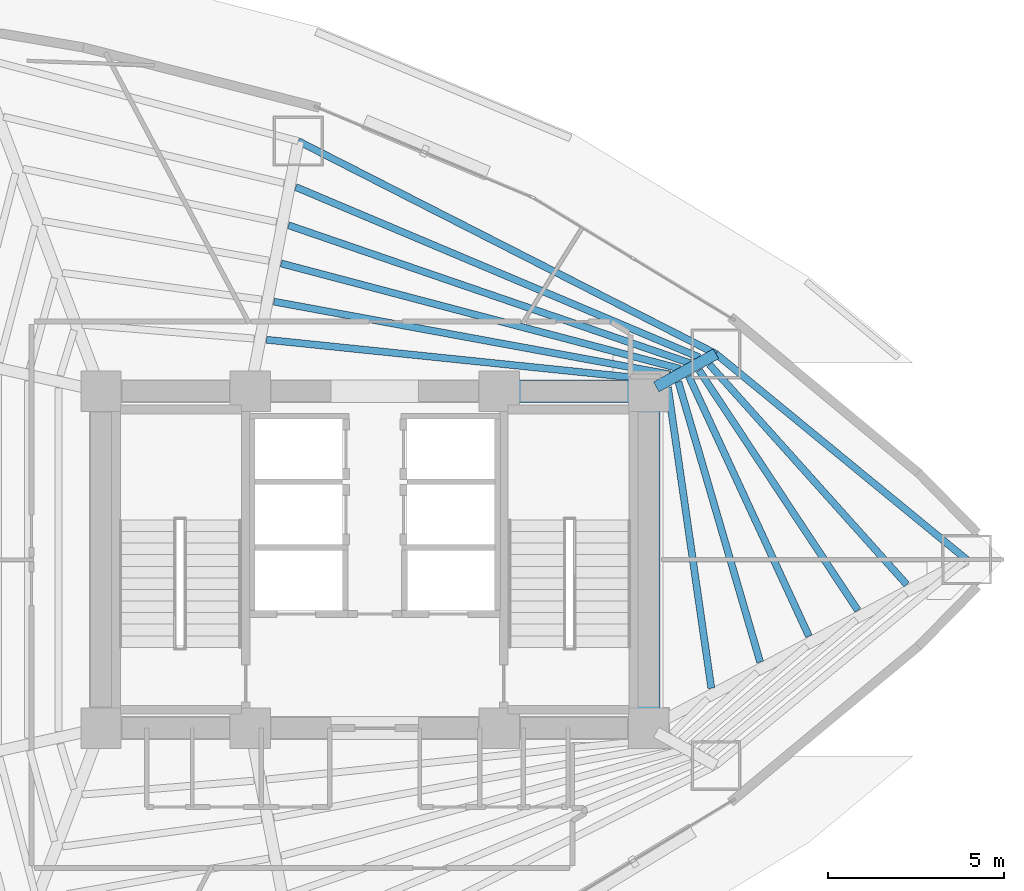
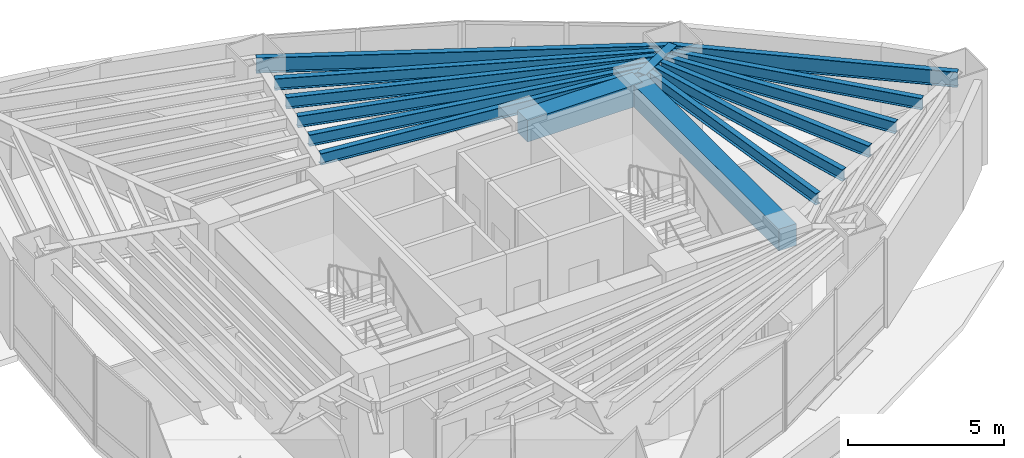
# One storey, part 10 of 17: 15 beams.
"""IFC4 building model written with IfcOpenShell, lengths in metres."""

import ifcopenshell
import ifcopenshell.guid

model = None  # the IFC model being written
_history = None  # IfcOwnerHistory: only IFC2X3 demands one
_inside = {}  # id of a spatial element -> (the spatial element, [elements in it])
_under = {}  # id of a project, library or spatial element -> (it, [spatial elements below it])
_declared = {}  # id of a project -> (the project, [libraries it declares])
_typed = {}  # id of a type object -> (the type object, [elements of that type])
_made_of = {}  # id of a material, layer set ... -> (it, [elements and type objects made of it])


def new_model(schema):
    """Start an empty IFC model of exactly this schema.

    Asked for "IFC4X3", IfcOpenShell would pick the latest addendum, in which some entities
    have other attributes; the version numbers below select the first issue.
    IFC2X3 requires an IfcOwnerHistory on every rooted entity: one is made here for all.
    """
    global model, _history
    if schema == "IFC4X3":
        model = ifcopenshell.file(schema_version=(4, 3, 0, 0))
    else:
        model = ifcopenshell.file(schema=schema)
    _inside.clear()
    _under.clear()
    _declared.clear()
    _typed.clear()
    _made_of.clear()
    _history = None
    if model.schema == "IFC2X3":
        org = make("IfcOrganization", Name="unknown")
        user = make(
            "IfcPersonAndOrganization",
            ThePerson=make("IfcPerson", FamilyName="unknown"),
            TheOrganization=org,
        )
        app = make(
            "IfcApplication",
            ApplicationDeveloper=org,
            Version="unknown",
            ApplicationFullName="unknown",
            ApplicationIdentifier="unknown",
        )
        _history = make(
            "IfcOwnerHistory",
            OwningUser=user,
            OwningApplication=app,
            ChangeAction="ADDED",
            CreationDate=0,
        )
    return model


def make(cls, **values):
    """One entity of the class cls with the attributes given. An attribute that is None is left unset."""
    return model.create_entity(
        cls, **{name: value for name, value in values.items() if value is not None}
    )


def rooted(cls, **values):
    """An entity with a GlobalId (a new one), such as an element, a storey or a relation."""
    return make(cls, GlobalId=ifcopenshell.guid.new(), OwnerHistory=_history, **values)


def si_unit(unit_type, name, prefix=None):
    """IfcSIUnit, for example si_unit("LENGTHUNIT", "METRE", prefix="MILLI")."""
    return make("IfcSIUnit", UnitType=unit_type, Prefix=prefix, Name=name)


def assignment(units):
    """IfcUnitAssignment: the units of a project."""
    return None if units is None else make("IfcUnitAssignment", Units=units)


def point(xyz):
    """IfcCartesianPoint."""
    return None if xyz is None else make("IfcCartesianPoint", Coordinates=xyz)


def direction(xyz):
    """IfcDirection."""
    return None if xyz is None else make("IfcDirection", DirectionRatios=xyz)


def frame(location, z_axis=None, x_axis=None):
    """IfcAxis2Placement3D, a coordinate frame: its origin and axes. An axis left out is left unset."""
    return make(
        "IfcAxis2Placement3D",
        Location=point(location),
        Axis=direction(z_axis),
        RefDirection=direction(x_axis),
    )


def frame_2d(location, x_axis=None):
    """IfcAxis2Placement2D, a coordinate frame in the plane: its origin and x axis."""
    return make(
        "IfcAxis2Placement2D", Location=point(location), RefDirection=direction(x_axis)
    )


def origin():
    """The frame at (0, 0, 0) with its axes left unset."""
    return frame((0.0, 0.0, 0.0))


def origin_2d():
    """The frame at (0, 0) in the plane with its x axis left unset."""
    return frame_2d((0.0, 0.0))


def place(relative_to, where):
    """IfcLocalPlacement: puts the frame where relative to a parent placement (None: the world)."""
    return make(
        "IfcLocalPlacement", PlacementRelTo=relative_to, RelativePlacement=where
    )


def context(
    kind, dimensions, precision=None, world=None, true_north=None, identifier=None
):
    """IfcGeometricRepresentationContext, for example the 3D "Model" context."""
    return make(
        "IfcGeometricRepresentationContext",
        ContextIdentifier=identifier,
        ContextType=kind,
        CoordinateSpaceDimension=dimensions,
        Precision=precision,
        WorldCoordinateSystem=world,
        TrueNorth=true_north,
    )


def subcontext(parent, identifier, kind, view, scale=None):
    """IfcGeometricRepresentationSubContext, for example "Body" below "Model"."""
    return make(
        "IfcGeometricRepresentationSubContext",
        ContextIdentifier=identifier,
        ContextType=kind,
        ParentContext=parent,
        TargetScale=scale,
        TargetView=view,
    )


def project(units=None, contexts=None):
    """IfcProject with its units and contexts."""
    return rooted(
        "IfcProject",
        Name="project",
        RepresentationContexts=contexts,
        UnitsInContext=assignment(units),
    )


def spatial(cls, under=None, at=None, **own):
    """A site, building, storey or space (cls), placed at a placement, below another one or the project."""
    s = rooted(cls, ObjectPlacement=at, **own)
    if under is not None:
        _under.setdefault(under.id(), (under, []))[1].append(s)
    return s


def profile(cls, at=None, kind="AREA", **sizes):
    """A parametric profile (cls). Its sizes go by their IFC names, for example OverallWidth=200.0."""
    return make(cls, ProfileType=kind, Position=at, **sizes)


def rectangle(**sizes):
    """IfcRectangleProfileDef."""
    return profile("IfcRectangleProfileDef", **sizes)


def i_section(**sizes):
    """IfcIShapeProfileDef."""
    return profile("IfcIShapeProfileDef", **sizes)


def extrude(swept, where, along, depth):
    """IfcExtrudedAreaSolid: the profile swept, set in the frame where, extruded along a direction by depth."""
    return make(
        "IfcExtrudedAreaSolid",
        SweptArea=swept,
        Position=where,
        ExtrudedDirection=direction(along),
        Depth=depth,
    )


def shape(context_of_items, identifier, shape_type, items):
    """IfcShapeRepresentation: the items that make up one representation, for example the "Body"."""
    return make(
        "IfcShapeRepresentation",
        ContextOfItems=context_of_items,
        RepresentationIdentifier=identifier,
        RepresentationType=shape_type,
        Items=items,
    )


def material(Name=None, Category=None):
    """IfcMaterial."""
    return make("IfcMaterial", Name=Name, Category=Category)


def material_profile(
    of_material, cross_section, Name=None, Category=None, Priority=None
):
    """IfcMaterialProfile: a cross section and its material."""
    return make(
        "IfcMaterialProfile",
        Name=Name,
        Material=of_material,
        Profile=cross_section,
        Priority=Priority,
        Category=Category,
    )


def profile_set(profiles, Name=None, composite=None):
    """IfcMaterialProfileSet."""
    return make(
        "IfcMaterialProfileSet",
        Name=Name,
        MaterialProfiles=profiles,
        CompositeProfile=composite,
    )


def made_of(thing, what):
    """Note that an element or type object is made of a material, layer set ...; save() writes the relation."""
    if what is not None:
        _made_of.setdefault(what.id(), (what, []))[1].append(thing)
    return thing


def type_object(cls, material=None, **own):
    """A type object (cls), such as IfcWallType, which elements share."""
    return made_of(rooted(cls, **own), material)


def element(
    cls,
    number,
    at=None,
    inside=None,
    cuts=None,
    type_object=None,
    material=None,
    context=None,
    identifier="Body",
    shape_type=None,
    held_by="IfcProductDefinitionShape",
    body=None,
    shapes=None,
    **own,
):
    """One element of the class cls, such as IfcWall. Its Tag is "e" and its number.

    at: its placement. inside: the storey or other place that contains it. cuts: it is an
    opening in that element (IfcRelVoidsElement). A single representation is given by context,
    identifier, shape_type and body (its items); several are given by shapes. held_by: the class
    of the entity that holds the representations. save() writes the other relations.
    """
    e = rooted(cls, Tag="e%d" % number, ObjectPlacement=at, **own)
    if body is not None:
        shapes = [shape(context, identifier, shape_type, body)]
    if shapes is not None:
        e.Representation = make(held_by, Representations=shapes)
    if inside is not None:
        _inside.setdefault(inside.id(), (inside, []))[1].append(e)
    if cuts is not None:
        rooted(
            "IfcRelVoidsElement", RelatingBuildingElement=cuts, RelatedOpeningElement=e
        )
    if type_object is not None:
        _typed.setdefault(type_object.id(), (type_object, []))[1].append(e)
    return made_of(e, material)


def aggregate(whole, parts):
    """IfcRelAggregates: a whole, such as a stair, and the parts it consists of."""
    return rooted("IfcRelAggregates", RelatingObject=whole, RelatedObjects=parts)


def save(model, path):
    """Write the relations noted so far, then the file.

    IfcRelAggregates (storeys below a building ...), IfcRelContainedInSpatialStructure (elements
    in a storey), IfcRelDefinesByType, IfcRelAssociatesMaterial and IfcRelDeclares: one each for
    every whole, place, type object, material and project.
    """
    for whole, parts in _under.values():
        aggregate(whole, parts)
    for where, things in _inside.values():
        rooted(
            "IfcRelContainedInSpatialStructure",
            RelatedElements=things,
            RelatingStructure=where,
        )
    for kind, things in _typed.values():
        rooted("IfcRelDefinesByType", RelatedObjects=things, RelatingType=kind)
    for what, things in _made_of.values():
        rooted("IfcRelAssociatesMaterial", RelatedObjects=things, RelatingMaterial=what)
    for by, libraries in _declared.values():
        rooted("IfcRelDeclares", RelatingContext=by, RelatedDefinitions=libraries)
    model.write(path)


model = new_model("IFC4")

# Units and contexts
model_context = context("Model", 3, precision=1e-05, world=origin(), true_north=direction((0.0, 1.0)))
body_context = subcontext(model_context, "Body", "Model", "MODEL_VIEW")
ifc_project = project(units=[si_unit("LENGTHUNIT", "METRE"), si_unit("AREAUNIT", "SQUARE_METRE"), si_unit("VOLUMEUNIT", "CUBIC_METRE"), si_unit("PLANEANGLEUNIT", "RADIAN"), si_unit("MASSUNIT", "GRAM", prefix="KILO")], contexts=[model_context])

# Site, building, storey
site_placement = place(None, origin())
site = spatial("IfcSite", under=ifc_project, at=site_placement, CompositionType="ELEMENT")
building_placement = place(site_placement, origin())
building = spatial("IfcBuilding", under=site, at=building_placement, Name="Menara Vayukalpa", CompositionType="ELEMENT")
storey_placement = place(building_placement, frame((0.0, 0.0, 27.60009765625)))
storey = spatial("IfcBuildingStorey", under=building, at=storey_placement, Name="L05", CompositionType="ELEMENT", Elevation=27.60009765625)

# Beams
ifc_material_1 = material(Name="Concrete C60/75", Category="concrete")
ifc_material_profile_1 = material_profile(ifc_material_1, rectangle(XDim=0.64990234375, YDim=0.85009765625, at=origin_2d()), Name="RC 650x850")
ifc_profile_set_1 = profile_set([ifc_material_profile_1], Name="Concrete C60/75")
beam_type_1 = type_object("IfcBeamType", Name="BM-CB1", PredefinedType="BEAM", material=ifc_profile_set_1)
beam_1_placement = place(storey_placement, frame((29.14990234375, 26.800048828125, 3.044921875), z_axis=(1.0, 0.0, 0.0), x_axis=(0.0, 1.0, 0.0)))
element("IfcBeam", 1, at=beam_1_placement, inside=storey, type_object=beam_type_1, Name="L05 Core Tie Beam CBR6", PredefinedType="BEAM", context=body_context, shape_type="SweptSolid", body=[
    extrude(rectangle(XDim=0.64990234375, YDim=0.85009765625, at=origin_2d()), origin(), (0.0, 0.0, 1.0), 4.25),
])
beam_2_placement = place(storey_placement, frame((33.39990234375, 17.199951171875, 3.044921875), z_axis=(0.0, 1.0, 0.0), x_axis=(-1.0, 0.0, 0.0)))
element("IfcBeam", 2, at=beam_2_placement, inside=storey, type_object=beam_type_1, Name="L05 Core Tie Beam CBR8", PredefinedType="BEAM", context=body_context, shape_type="SweptSolid", body=[
    extrude(rectangle(XDim=0.64990234375, YDim=0.85009765625, at=origin_2d()), origin(), (0.0, 0.0, 1.0), 9.60009765625),
])
ifc_material_2 = material(Name="Steel S355", Category="steel")
ifc_material_profile_2 = material_profile(ifc_material_2, i_section(OverallWidth=0.320068359375, OverallDepth=0.85009765625, WebThickness=0.01611328125, FlangeThickness=0.030029296875, at=origin_2d()), Name="WF 850x320x16x30")
ifc_profile_set_2 = profile_set([ifc_material_profile_2], Name="Steel S355")
beam_type_2 = type_object("IfcBeamType", Name="BM-PG2", PredefinedType="BEAM", material=ifc_profile_set_2)
beam_3_placement = place(storey_placement, frame((33.61865234375, 26.921142578125, 3.044921875), z_axis=(0.87459548214, 0.484853320727, 0.0), x_axis=(-0.484853320727, 0.87459548214, 0.0)))
element("IfcBeam", 3, at=beam_3_placement, inside=storey, type_object=beam_type_2, Name="L05 Primary Radial Girder RG02", PredefinedType="BEAM", context=body_context, shape_type="SweptSolid", body=[
    extrude(i_section(OverallWidth=0.320068359375, OverallDepth=0.85009765625, WebThickness=0.01611328125, FlangeThickness=0.030029296875, at=origin_2d()), origin(), (0.0, 0.0, 1.0), 1.943115234375),
])
ifc_material_3 = material(Name="Steel S355", Category="steel")
ifc_material_profile_3 = material_profile(ifc_material_3, i_section(OverallWidth=0.199951171875, OverallDepth=0.449951171875, WebThickness=0.009033203125, FlangeThickness=0.013916015625, at=origin_2d()), Name="WF 450x200x9x14")
ifc_profile_set_3 = profile_set([ifc_material_profile_3], Name="Steel S355")
beam_type_3 = type_object("IfcBeamType", Name="BM-SJ1", PredefinedType="JOIST", material=ifc_profile_set_3)
beam_4_placement = place(storey_placement, frame((35.18701171875, 18.338134765625, 3.244873046875), z_axis=(-0.142766602183, 0.989756382804, 0.0), x_axis=(-0.989756382804, -0.142766602183, 0.0)))
element("IfcBeam", 4, at=beam_4_placement, inside=storey, type_object=beam_type_3, Name="L05 Secondary Floor Joist SJ01-1", PredefinedType="JOIST", context=body_context, shape_type="SweptSolid", body=[
    extrude(i_section(OverallWidth=0.199951171875, OverallDepth=0.449951171875, WebThickness=0.009033203125, FlangeThickness=0.013916015625, at=origin_2d()), origin(), (0.0, 0.0, 1.0), 8.6630859375),
])
beam_5_placement = place(storey_placement, frame((36.577392578125, 19.08203125, 3.244873046875), z_axis=(-0.280127331343, 0.959962852528, 0.0), x_axis=(-0.959962852528, -0.280127331343, 0.0)))
element("IfcBeam", 5, at=beam_5_placement, inside=storey, type_object=beam_type_3, Name="L05 Secondary Floor Joist SJ01-2", PredefinedType="JOIST", context=body_context, shape_type="SweptSolid", body=[
    extrude(i_section(OverallWidth=0.199951171875, OverallDepth=0.449951171875, WebThickness=0.009033203125, FlangeThickness=0.013916015625, at=origin_2d()), origin(), (0.0, 0.0, 1.0), 8.319580078125),
])
beam_6_placement = place(storey_placement, frame((37.96728515625, 19.822021484375, 3.244873046875), z_axis=(-0.419547647921, 0.907733314979, 0.0), x_axis=(-0.907733314979, -0.419547647921, 0.0)))
element("IfcBeam", 6, at=beam_6_placement, inside=storey, type_object=beam_type_3, Name="L05 Secondary Floor Joist SJ01-3", PredefinedType="JOIST", context=body_context, shape_type="SweptSolid", body=[
    extrude(i_section(OverallWidth=0.199951171875, OverallDepth=0.449951171875, WebThickness=0.009033203125, FlangeThickness=0.013916015625, at=origin_2d()), origin(), (0.0, 0.0, 1.0), 8.15966796875),
])
beam_7_placement = place(storey_placement, frame((39.358642578125, 20.557861328125, 3.244873046875), z_axis=(-0.551519467329, 0.834162020927, 0.0), x_axis=(-0.834162020927, -0.551519467329, 0.0)))
element("IfcBeam", 7, at=beam_7_placement, inside=storey, type_object=beam_type_3, Name="L05 Secondary Floor Joist SJ01-4", PredefinedType="JOIST", context=body_context, shape_type="SweptSolid", body=[
    extrude(i_section(OverallWidth=0.199951171875, OverallDepth=0.449951171875, WebThickness=0.009033203125, FlangeThickness=0.013916015625, at=origin_2d()), origin(), (0.0, 0.0, 1.0), 8.19384765625),
])
beam_8_placement = place(storey_placement, frame((40.752685546875, 21.291015625, 3.244873046875), z_axis=(-0.667563308959, 0.744553039435, 0.0), x_axis=(-0.744553039435, -0.667563308959, 0.0)))
element("IfcBeam", 8, at=beam_8_placement, inside=storey, type_object=beam_type_3, Name="L05 Secondary Floor Joist SJ01-5", PredefinedType="JOIST", context=body_context, shape_type="SweptSolid", body=[
    extrude(i_section(OverallWidth=0.199951171875, OverallDepth=0.449951171875, WebThickness=0.009033203125, FlangeThickness=0.013916015625, at=origin_2d()), origin(), (0.0, 0.0, 1.0), 8.419189453125),
])
beam_9_placement = place(storey_placement, frame((33.74560546875, 27.109130859375, 3.244873046875), z_axis=(-0.994746828953, 0.102365747631, 0.0), x_axis=(-0.102365747631, -0.994746828953, 0.0)))
element("IfcBeam", 9, at=beam_9_placement, inside=storey, type_object=beam_type_3, Name="L05 Secondary Floor Joist SJ02-1", PredefinedType="JOIST", context=body_context, shape_type="SweptSolid", body=[
    extrude(i_section(OverallWidth=0.199951171875, OverallDepth=0.449951171875, WebThickness=0.009033203125, FlangeThickness=0.013916015625, at=origin_2d()), origin(), (0.0, 0.0, 1.0), 11.29052734375),
])
beam_10_placement = place(storey_placement, frame((34.019287109375, 27.27392578125, 3.244873046875), z_axis=(-0.983504975359, 0.180881075419, 0.0), x_axis=(-0.180881075419, -0.983504975359, 0.0)))
element("IfcBeam", 10, at=beam_10_placement, inside=storey, type_object=beam_type_3, Name="L05 Secondary Floor Joist SJ02-2", PredefinedType="JOIST", context=body_context, shape_type="SweptSolid", body=[
    extrude(i_section(OverallWidth=0.199951171875, OverallDepth=0.449951171875, WebThickness=0.009033203125, FlangeThickness=0.013916015625, at=origin_2d()), origin(), (0.0, 0.0, 1.0), 11.48486328125),
])
beam_11_placement = place(storey_placement, frame((34.294189453125, 27.438232421875, 3.244873046875), z_axis=(-0.966863757537, 0.255292918746, 0.0), x_axis=(-0.255292918746, -0.966863757537, 0.0)))
element("IfcBeam", 11, at=beam_11_placement, inside=storey, type_object=beam_type_3, Name="L05 Secondary Floor Joist SJ02-3", PredefinedType="JOIST", context=body_context, shape_type="SweptSolid", body=[
    extrude(i_section(OverallWidth=0.199951171875, OverallDepth=0.449951171875, WebThickness=0.009033203125, FlangeThickness=0.013916015625, at=origin_2d()), origin(), (0.0, 0.0, 1.0), 11.751220703125),
])
beam_12_placement = place(storey_placement, frame((34.570068359375, 27.601318359375, 3.244873046875), z_axis=(-0.945794261669, 0.324766400038, 0.0), x_axis=(-0.324766400038, -0.945794261669, 0.0)))
element("IfcBeam", 12, at=beam_12_placement, inside=storey, type_object=beam_type_3, Name="L05 Secondary Floor Joist SJ02-4", PredefinedType="JOIST", context=body_context, shape_type="SweptSolid", body=[
    extrude(i_section(OverallWidth=0.199951171875, OverallDepth=0.449951171875, WebThickness=0.009033203125, FlangeThickness=0.013916015625, at=origin_2d()), origin(), (0.0, 0.0, 1.0), 12.0849609375),
])
beam_13_placement = place(storey_placement, frame((34.84619140625, 27.763671875, 3.244873046875), z_axis=(-0.921359344435, 0.38871192215, 0.0), x_axis=(-0.38871192215, -0.921359344435, 0.0)))
element("IfcBeam", 13, at=beam_13_placement, inside=storey, type_object=beam_type_3, Name="L05 Secondary Floor Joist SJ02-5", PredefinedType="JOIST", context=body_context, shape_type="SweptSolid", body=[
    extrude(i_section(OverallWidth=0.199951171875, OverallDepth=0.449951171875, WebThickness=0.009033203125, FlangeThickness=0.013916015625, at=origin_2d()), origin(), (0.0, 0.0, 1.0), 12.48046875),
])
ifc_material_4 = material(Name="Steel S355", Category="steel")
ifc_material_profile_4 = material_profile(ifc_material_4, i_section(OverallWidth=0.199951171875, OverallDepth=0.60009765625, WebThickness=0.010986328125, FlangeThickness=0.01708984375, at=origin_2d()), Name="WF 600x200x11x17")
ifc_profile_set_4 = profile_set([ifc_material_profile_4], Name="Steel S355")
beam_type_4 = type_object("IfcBeamType", Name="BM-SP1", PredefinedType="SPANDREL", material=ifc_profile_set_4)
beam_14_placement = place(storey_placement, frame((42.46484375, 22.0, 3.169921875), z_axis=(-0.773110561587, 0.63427128231, 0.0), x_axis=(-0.63427128231, -0.773110561587, 0.0)))
element("IfcBeam", 14, at=beam_14_placement, inside=storey, type_object=beam_type_4, Name="L05 Perimeter Spandrel Beam SP01", PredefinedType="SPANDREL", context=body_context, shape_type="SweptSolid", body=[
    extrude(i_section(OverallWidth=0.199951171875, OverallDepth=0.60009765625, WebThickness=0.010986328125, FlangeThickness=0.01708984375, at=origin_2d()), origin(), (0.0, 0.0, 1.0), 9.244140625),
])
beam_15_placement = place(storey_placement, frame((35.318115234375, 27.86328125, 3.169921875), z_axis=(-0.891100743313, 0.453805536841, 0.0), x_axis=(-0.453805536841, -0.891100743313, 0.0)))
element("IfcBeam", 15, at=beam_15_placement, inside=storey, type_object=beam_type_4, Name="L05 Perimeter Spandrel Beam SP02", PredefinedType="SPANDREL", context=body_context, shape_type="SweptSolid", body=[
    extrude(i_section(OverallWidth=0.199951171875, OverallDepth=0.60009765625, WebThickness=0.010986328125, FlangeThickness=0.01708984375, at=origin_2d()), origin(), (0.0, 0.0, 1.0), 13.352783203125),
])

save(model, "model.ifc")
